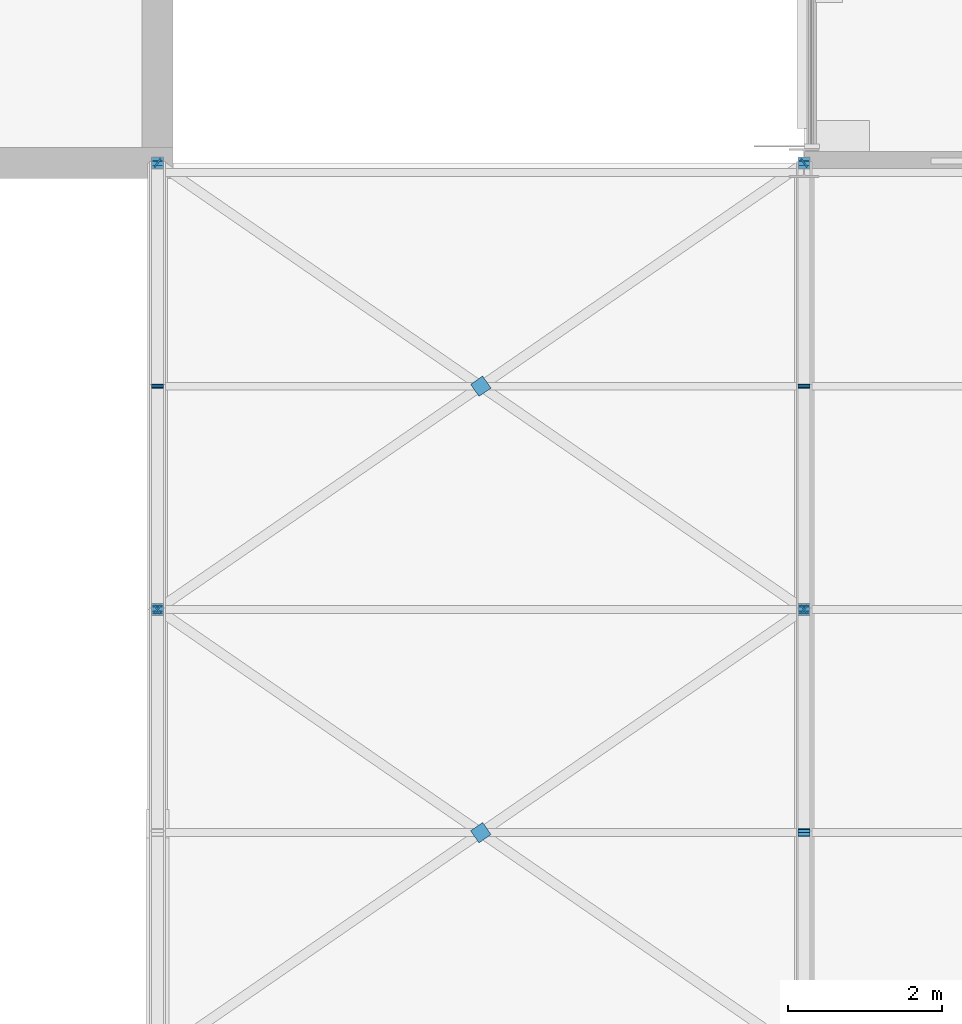
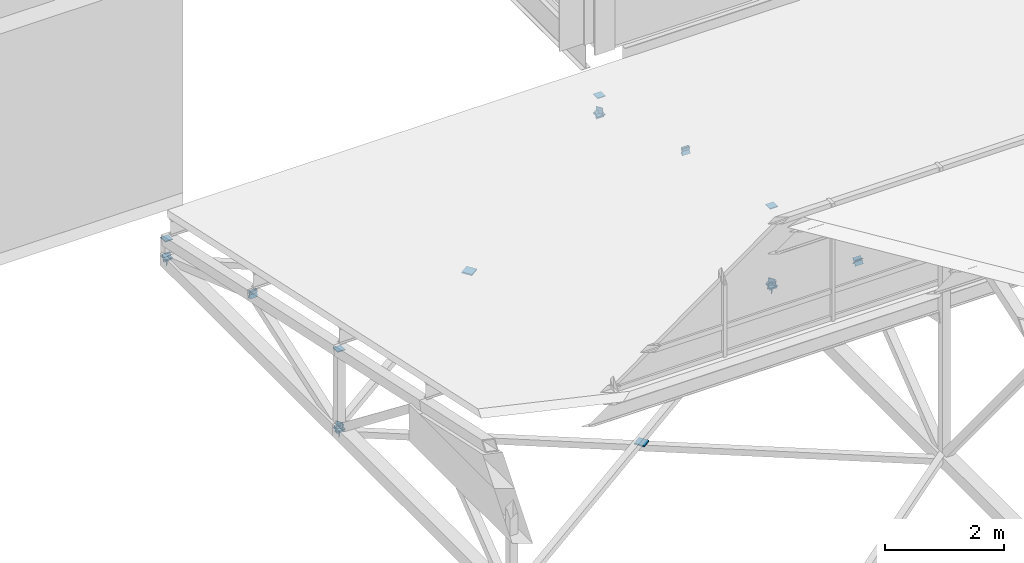
# One storey, part 66 of 89: 28 discrete accessories.
"""IFC4 building model written with IfcOpenShell, lengths in metres."""

from ifc_helpers import new_model, si_unit, direction, frame, origin, origin_2d, place, context, subcontext, project, spatial, rectangle, extrude, material, element, save


model = new_model("IFC4")

# Units and contexts
model_context = context("Model", 3, precision=1e-05, world=origin(), true_north=direction((0.0, 1.0)))
body_context = subcontext(model_context, "Body", "Model", "MODEL_VIEW")
ifc_project = project(units=[si_unit("LENGTHUNIT", "METRE"), si_unit("AREAUNIT", "SQUARE_METRE"), si_unit("VOLUMEUNIT", "CUBIC_METRE"), si_unit("PLANEANGLEUNIT", "RADIAN"), si_unit("MASSUNIT", "GRAM", prefix="KILO")], contexts=[model_context])

# Site, building, storey
site_placement = place(None, origin())
site = spatial("IfcSite", under=ifc_project, at=site_placement, CompositionType="ELEMENT")
building_placement = place(site_placement, origin())
building = spatial("IfcBuilding", under=site, at=building_placement, Name="Hlaing Beacon Police Headquarters", CompositionType="ELEMENT")
storey_placement = place(building_placement, frame((0.0, 0.0, 9.89990234375)))
storey = spatial("IfcBuildingStorey", under=building, at=storey_placement, Name="L02", CompositionType="ELEMENT", Elevation=9.89990234375)

# Discrete accessories
ifc_material = material(Name="Steel ASTM A572 Grade 50", Category="steel")
for number, where, z_axis, x_axis, name in (
    (1, (92.39990234375, 27.800048828125, -1.36474609375), (0.0, 0.0, -1.0), (1.0, 0.0, 0.0), "Gusset plate GP-525"),
    (2, (92.39990234375, 27.800048828125, 0.250244140625), (0.0, 0.0, 1.0), (1.0, 0.0, 0.0), "Gusset plate GP-526"),
    (3, (92.39990234375, 33.60009765625, -1.36474609375), (0.0, 0.0, -1.0), (1.0, 0.0, 0.0), "Gusset plate GP-527"),
    (4, (92.39990234375, 33.60009765625, -0.999755859375), (0.0, 0.0, 1.0), (1.0, 0.0, 0.0), "Gusset plate GP-528"),
):
    element("IfcDiscreteAccessory", number, at=place(storey_placement, frame(where, z_axis=z_axis, x_axis=x_axis)), inside=storey, material=ifc_material, Name=name, PredefinedType="BRACKET", context=body_context, shape_type="SweptSolid", body=[
        extrude(rectangle(XDim=0.15234375, YDim=0.15234375, at=origin_2d()), origin(), (0.0, 0.0, 1.0), 0.01611328125),
    ])
for number, where, z_axis, x_axis, name in (
    (5, (92.39990234375, 27.795166015625, -1.369140625), (0.0, 0.789294969398, -0.614014210978), (-1.0, 0.0, 0.0), "Gusset plate GP-540"),
    (6, (92.39990234375, 27.8056640625, -1.370849609375), (0.0, -0.944755103934, -0.327777048603), (1.0, 0.0, 0.0), "Gusset plate GP-541"),
    (7, (92.39990234375, 30.6943359375, -0.36865234375), (0.0, 0.944755103934, 0.327777048603), (-1.0, 0.0, 0.0), "Gusset plate GP-542"),
    (8, (92.39990234375, 30.70556640625, -0.36865234375), (0.0, -0.944763648383, 0.327752419815), (1.0, 0.0, 0.0), "Gusset plate GP-543"),
    (9, (92.39990234375, 33.594482421875, -1.370849609375), (0.0, 0.944763648383, -0.327752419815), (-1.0, 0.0, 0.0), "Gusset plate GP-544"),
):
    element("IfcDiscreteAccessory", number, at=place(storey_placement, frame(where, z_axis=z_axis, x_axis=x_axis)), inside=storey, material=ifc_material, Name=name, PredefinedType="BRACKET", context=body_context, shape_type="SweptSolid", body=[
        extrude(rectangle(XDim=0.15234375, YDim=0.15234375, at=origin_2d()), origin(), (0.0, 0.0, 1.0), 0.011962890625),
    ])
for number, where, z_axis, x_axis, name in (
    (10, (100.800048828125, 27.800048828125, -1.36474609375), (0.0, 0.0, -1.0), (1.0, 0.0, 0.0), "Gusset plate GP-551"),
    (11, (100.800048828125, 27.800048828125, 0.250244140625), (0.0, 0.0, 1.0), (1.0, 0.0, 0.0), "Gusset plate GP-552"),
    (12, (100.800048828125, 33.60009765625, -1.36474609375), (0.0, 0.0, -1.0), (1.0, 0.0, 0.0), "Gusset plate GP-553"),
    (13, (100.800048828125, 33.60009765625, -0.999755859375), (0.0, 0.0, 1.0), (1.0, 0.0, 0.0), "Gusset plate GP-554"),
):
    element("IfcDiscreteAccessory", number, at=place(storey_placement, frame(where, z_axis=z_axis, x_axis=x_axis)), inside=storey, material=ifc_material, Name=name, PredefinedType="BRACKET", context=body_context, shape_type="SweptSolid", body=[
        extrude(rectangle(XDim=0.15234375, YDim=0.15234375, at=origin_2d()), origin(), (0.0, 0.0, 1.0), 0.01611328125),
    ])
for number, where, z_axis, x_axis, name in (
    (14, (100.800048828125, 24.89501953125, 0.879638671875), (0.0, 0.789269916933, 0.614046413738), (-1.0, 0.0, 0.0), "Gusset plate GP-564"),
    (15, (100.800048828125, 24.904541015625, 0.879638671875), (0.0, -0.789294969398, 0.614014210978), (1.0, 0.0, 0.0), "Gusset plate GP-565"),
    (16, (100.800048828125, 27.795166015625, -1.369140625), (0.0, 0.789294969398, -0.614014210978), (-1.0, 0.0, 0.0), "Gusset plate GP-566"),
    (17, (100.800048828125, 27.8056640625, -1.370849609375), (0.0, -0.944755103934, -0.327777048603), (1.0, 0.0, 0.0), "Gusset plate GP-567"),
    (18, (100.800048828125, 30.6943359375, -0.36865234375), (0.0, 0.944755103934, 0.327777048603), (-1.0, 0.0, 0.0), "Gusset plate GP-568"),
    (19, (100.800048828125, 30.70556640625, -0.36865234375), (0.0, -0.944763648383, 0.327752419815), (1.0, 0.0, 0.0), "Gusset plate GP-569"),
    (20, (100.800048828125, 33.594482421875, -1.370849609375), (0.0, 0.944763648383, -0.327752419815), (-1.0, 0.0, 0.0), "Gusset plate GP-570"),
):
    element("IfcDiscreteAccessory", number, at=place(storey_placement, frame(where, z_axis=z_axis, x_axis=x_axis)), inside=storey, material=ifc_material, Name=name, PredefinedType="BRACKET", context=body_context, shape_type="SweptSolid", body=[
        extrude(rectangle(XDim=0.15234375, YDim=0.15234375, at=origin_2d()), origin(), (0.0, 0.0, 1.0), 0.011962890625),
    ])
for number, where, z_axis, x_axis, name in (
    (21, (100.795166015625, 27.796630859375, -1.29931640625), (0.822899296848, 0.568187246642, 0.0), (-0.568187246642, 0.822899296848, 0.0), "Gusset plate GP-684"),
    (22, (92.40478515625, 27.796630859375, -1.4462890625), (-0.822899296848, 0.568187246642, 0.0), (-0.568187246642, -0.822899296848, 0.0), "Gusset plate GP-686"),
    (23, (92.40478515625, 27.803466796875, -1.29931640625), (-0.822899296848, -0.568187246642, 0.0), (0.568187246642, -0.822899296848, 0.0), "Gusset plate GP-687"),
    (24, (100.795166015625, 33.5966796875, -1.29931640625), (0.822899296848, 0.568187246642, 0.0), (-0.568187246642, 0.822899296848, 0.0), "Gusset plate GP-688"),
    (25, (100.795166015625, 27.803466796875, -1.4462890625), (0.822899296848, -0.568187246642, 0.0), (0.568187246642, 0.822899296848, 0.0), "Gusset plate GP-689"),
    (26, (92.40478515625, 33.5966796875, -1.4462890625), (-0.822899296848, 0.568187246642, 0.0), (-0.568187246642, -0.822899296848, 0.0), "Gusset plate GP-690"),
):
    element("IfcDiscreteAccessory", number, at=place(storey_placement, frame(where, z_axis=z_axis, x_axis=x_axis)), inside=storey, material=ifc_material, Name=name, PredefinedType="BRACKET", context=body_context, shape_type="SweptSolid", body=[
        extrude(rectangle(XDim=0.126953125, YDim=0.126953125, at=origin_2d()), origin(), (0.0, 0.0, 1.0), 0.011962890625),
    ])
for number, where, z_axis, x_axis, name in (
    (27, (96.60009765625, 24.89990234375, -1.385986328125), (0.0, 0.0, 1.0), (0.822896900602, 0.568190717083, 0.0), "Node plate NP-019"),
    (28, (96.60009765625, 30.699951171875, -1.385986328125), (0.0, 0.0, 1.0), (0.822896900602, 0.568190717083, 0.0), "Node plate NP-020"),
):
    element("IfcDiscreteAccessory", number, at=place(storey_placement, frame(where, z_axis=z_axis, x_axis=x_axis)), inside=storey, material=ifc_material, Name=name, PredefinedType="BRACKET", context=body_context, shape_type="SweptSolid", body=[
        extrude(rectangle(XDim=0.1904296875, YDim=0.1904296875, at=origin_2d()), origin(), (0.0, 0.0, 1.0), 0.02587890625),
    ])

save(model, "model.ifc")
